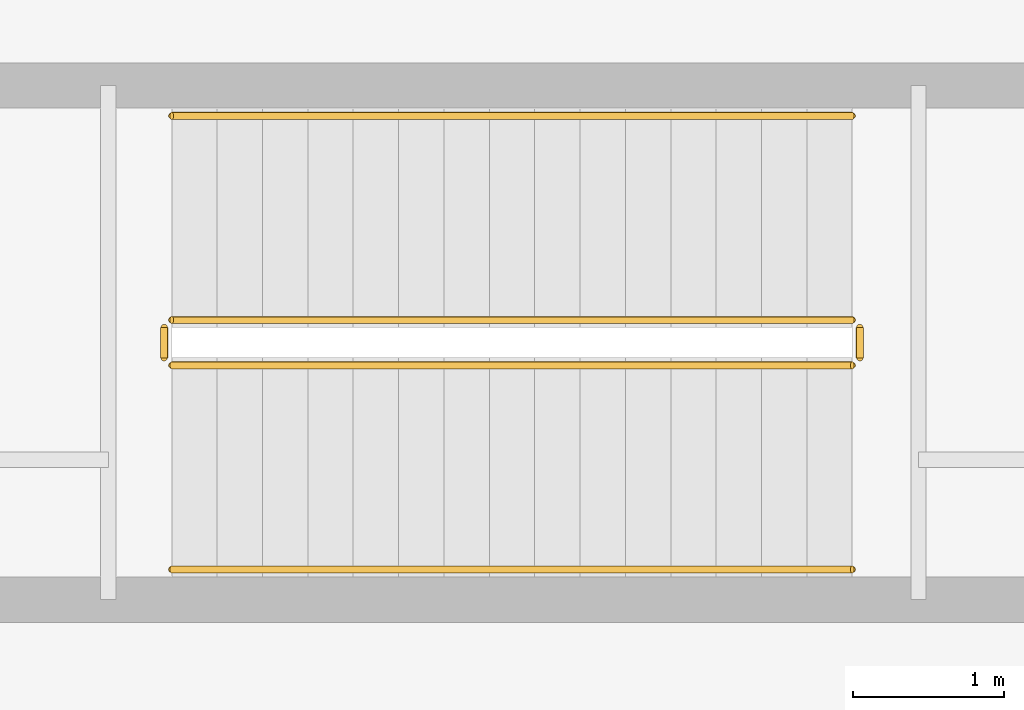
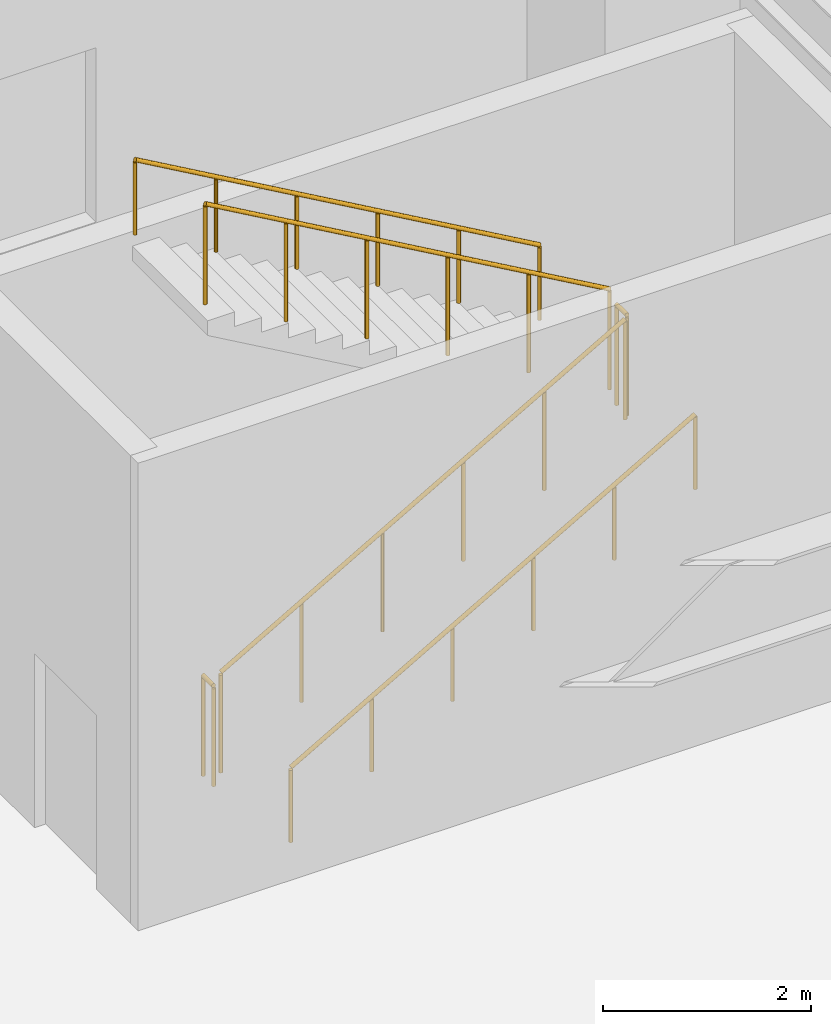
# One storey, part 35 of 35: 6 railings.
"""IFC4 building model written with IfcOpenShell, lengths in metres."""

from ifc_helpers import new_model, si_unit, direction, frame, origin, origin_2d, place, context, subcontext, project, spatial, circle, extrude, material, type_object, element, save


model = new_model("IFC4")

# Units and contexts
model_context = context("Model", 3, precision=1e-05, world=origin(), true_north=direction((0.0, 1.0)))
body_context = subcontext(model_context, "Body", "Model", "MODEL_VIEW")
ifc_project = project(units=[si_unit("LENGTHUNIT", "METRE"), si_unit("AREAUNIT", "SQUARE_METRE"), si_unit("VOLUMEUNIT", "CUBIC_METRE"), si_unit("PLANEANGLEUNIT", "RADIAN"), si_unit("MASSUNIT", "GRAM", prefix="KILO")], contexts=[model_context])

# Site, building, storey
site_placement = place(None, origin())
site = spatial("IfcSite", under=ifc_project, at=site_placement, CompositionType="ELEMENT")
building_placement = place(site_placement, origin())
building = spatial("IfcBuilding", under=site, at=building_placement, Name="Qiaolan Cultural Towers", CompositionType="ELEMENT")
storey_placement = place(building_placement, frame((0.0, 0.0, 6.0)))
storey = spatial("IfcBuildingStorey", under=building, at=storey_placement, Name="L01", CompositionType="ELEMENT", Elevation=6.0)

# Railings
ifc_material_1 = material(Name="Galvanized Painted Steel Stair Guardrail", Category="steel")
railing_type_1 = type_object("IfcRailingType", Name="RL-STAIR-GRD", PredefinedType="GUARDRAIL", material=ifc_material_1)
railing_1_placement = place(storey_placement, frame((110.0, 59.60009765625, 0.171875)))
element("IfcRailing", 1, at=railing_1_placement, inside=storey, type_object=railing_type_1, Name="L01 ST-P2 stair guard 1", PredefinedType="GUARDRAIL", context=body_context, shape_type="SweptSolid", body=[
    extrude(circle(Radius=0.02392578125, at=origin_2d()), frame((0.0, 0.0, 1.17578125), z_axis=(0.867686387293, 0.0, 0.49711199272), x_axis=(0.0, 1.0, 0.0)), (0.0, 0.0, 1.0), 5.186279296875),
    extrude(circle(Radius=0.02099609375, at=origin_2d()), origin(), (0.0, 0.0, 1.0), 1.15185546875),
    extrude(circle(Radius=0.02099609375, at=origin_2d()), frame((0.89990234375, 0.0, 0.515625)), (0.0, 0.0, 1.0), 1.15185546875),
    extrude(circle(Radius=0.02099609375, at=origin_2d()), frame((1.800048828125, 0.0, 1.03125)), (0.0, 0.0, 1.0), 1.15185546875),
    extrude(circle(Radius=0.02099609375, at=origin_2d()), frame((2.699951171875, 0.0, 1.546875)), (0.0, 0.0, 1.0), 1.15185546875),
    extrude(circle(Radius=0.02099609375, at=origin_2d()), frame((3.60009765625, 0.0, 2.0625)), (0.0, 0.0, 1.0), 1.15185546875),
    extrude(circle(Radius=0.02099609375, at=origin_2d()), frame((4.5, 0.0, 2.578125)), (0.0, 0.0, 1.0), 1.15185546875),
])
railing_2_placement = place(storey_placement, frame((114.550048828125, 59.64990234375, 2.75)))
element("IfcRailing", 2, at=railing_2_placement, inside=storey, type_object=railing_type_1, Name="L01 ST-P2 stair guard 2", PredefinedType="GUARDRAIL", context=body_context, shape_type="SweptSolid", body=[
    extrude(circle(Radius=0.02392578125, at=origin_2d()), frame((0.0, 0.0, 1.17578125), z_axis=(0.0, 1.0, 0.0), x_axis=(-1.0, 0.0, 0.0)), (0.0, 0.0, 1.0), 0.2001953125),
    extrude(circle(Radius=0.02099609375, at=origin_2d()), origin(), (0.0, 0.0, 1.0), 1.15185546875),
    extrude(circle(Radius=0.02099609375, at=origin_2d()), frame((0.0, 0.2001953125, 0.0)), (0.0, 0.0, 1.0), 1.15185546875),
])
railing_3_placement = place(storey_placement, frame((114.5, 59.89990234375, 2.921875)))
element("IfcRailing", 3, at=railing_3_placement, inside=storey, type_object=railing_type_1, Name="L01 ST-P2 stair guard 3", PredefinedType="GUARDRAIL", context=body_context, shape_type="SweptSolid", body=[
    extrude(circle(Radius=0.02392578125, at=origin_2d()), frame((0.0, 0.0, 1.17578125), z_axis=(-0.867686387293, 0.0, 0.49711199272), x_axis=(0.0, -1.0, 0.0)), (0.0, 0.0, 1.0), 5.186279296875),
    extrude(circle(Radius=0.02099609375, at=origin_2d()), origin(), (0.0, 0.0, 1.0), 1.15185546875),
    extrude(circle(Radius=0.02099609375, at=origin_2d()), frame((-0.89990234375, 0.0, 0.515625)), (0.0, 0.0, 1.0), 1.15185546875),
    extrude(circle(Radius=0.02099609375, at=origin_2d()), frame((-1.800048828125, 0.0, 1.03125)), (0.0, 0.0, 1.0), 1.15185546875),
    extrude(circle(Radius=0.02099609375, at=origin_2d()), frame((-2.699951171875, 0.0, 1.546875)), (0.0, 0.0, 1.0), 1.15185546875),
    extrude(circle(Radius=0.02099609375, at=origin_2d()), frame((-3.60009765625, 0.0, 2.0625)), (0.0, 0.0, 1.0), 1.15185546875),
    extrude(circle(Radius=0.02099609375, at=origin_2d()), frame((-4.5, 0.0, 2.578125)), (0.0, 0.0, 1.0), 1.15185546875),
])
railing_4_placement = place(storey_placement, frame((109.949951171875, 59.64990234375, 0.0)))
element("IfcRailing", 4, at=railing_4_placement, inside=storey, type_object=railing_type_1, Name="L01 ST-P2 stair guard 4", PredefinedType="GUARDRAIL", context=body_context, shape_type="SweptSolid", body=[
    extrude(circle(Radius=0.02392578125, at=origin_2d()), frame((0.0, 0.0, 1.17578125), z_axis=(0.0, 1.0, 0.0), x_axis=(-1.0, 0.0, 0.0)), (0.0, 0.0, 1.0), 0.2001953125),
    extrude(circle(Radius=0.02099609375, at=origin_2d()), origin(), (0.0, 0.0, 1.0), 1.15185546875),
    extrude(circle(Radius=0.02099609375, at=origin_2d()), frame((0.0, 0.2001953125, 0.0)), (0.0, 0.0, 1.0), 1.15185546875),
])
ifc_material_2 = material(Name="Stainless Steel S30408 Tubular Handrail", Category="steel")
railing_type_2 = type_object("IfcRailingType", Name="RL-STAIR-HR", PredefinedType="HANDRAIL", material=ifc_material_2)
railing_5_placement = place(storey_placement, frame((110.0, 58.25, 0.171875)))
element("IfcRailing", 5, at=railing_5_placement, inside=storey, type_object=railing_type_2, Name="L01 ST-P2 stair handrail 1", PredefinedType="HANDRAIL", context=body_context, shape_type="SweptSolid", body=[
    extrude(circle(Radius=0.02392578125, at=origin_2d()), frame((0.0, 0.0, 0.8759765625), z_axis=(0.867686387293, 0.0, 0.49711199272), x_axis=(0.0, 1.0, 0.0)), (0.0, 0.0, 1.0), 5.186279296875),
    extrude(circle(Radius=0.02099609375, at=origin_2d()), origin(), (0.0, 0.0, 1.0), 0.851806640625),
    extrude(circle(Radius=0.02099609375, at=origin_2d()), frame((0.89990234375, 0.0, 0.515625)), (0.0, 0.0, 1.0), 0.851806640625),
    extrude(circle(Radius=0.02099609375, at=origin_2d()), frame((1.800048828125, 0.0, 1.03125)), (0.0, 0.0, 1.0), 0.851806640625),
    extrude(circle(Radius=0.02099609375, at=origin_2d()), frame((2.699951171875, 0.0, 1.546875)), (0.0, 0.0, 1.0), 0.851806640625),
    extrude(circle(Radius=0.02099609375, at=origin_2d()), frame((3.60009765625, 0.0, 2.0625)), (0.0, 0.0, 1.0), 0.851806640625),
    extrude(circle(Radius=0.02099609375, at=origin_2d()), frame((4.5, 0.0, 2.578125)), (0.0, 0.0, 1.0), 0.851806640625),
])
railing_6_placement = place(storey_placement, frame((114.5, 61.25, 2.921875)))
element("IfcRailing", 6, at=railing_6_placement, inside=storey, type_object=railing_type_2, Name="L01 ST-P2 stair handrail 2", PredefinedType="HANDRAIL", context=body_context, shape_type="SweptSolid", body=[
    extrude(circle(Radius=0.02392578125, at=origin_2d()), frame((0.0, 0.0, 0.8759765625), z_axis=(-0.867686387293, 0.0, 0.49711199272), x_axis=(0.0, -1.0, 0.0)), (0.0, 0.0, 1.0), 5.186279296875),
    extrude(circle(Radius=0.02099609375, at=origin_2d()), origin(), (0.0, 0.0, 1.0), 0.851806640625),
    extrude(circle(Radius=0.02099609375, at=origin_2d()), frame((-0.89990234375, 0.0, 0.515625)), (0.0, 0.0, 1.0), 0.851806640625),
    extrude(circle(Radius=0.02099609375, at=origin_2d()), frame((-1.800048828125, 0.0, 1.03125)), (0.0, 0.0, 1.0), 0.851806640625),
    extrude(circle(Radius=0.02099609375, at=origin_2d()), frame((-2.699951171875, 0.0, 1.546875)), (0.0, 0.0, 1.0), 0.851806640625),
    extrude(circle(Radius=0.02099609375, at=origin_2d()), frame((-3.60009765625, 0.0, 2.0625)), (0.0, 0.0, 1.0), 0.851806640625),
    extrude(circle(Radius=0.02099609375, at=origin_2d()), frame((-4.5, 0.0, 2.578125)), (0.0, 0.0, 1.0), 0.851806640625),
])

save(model, "model.ifc")
